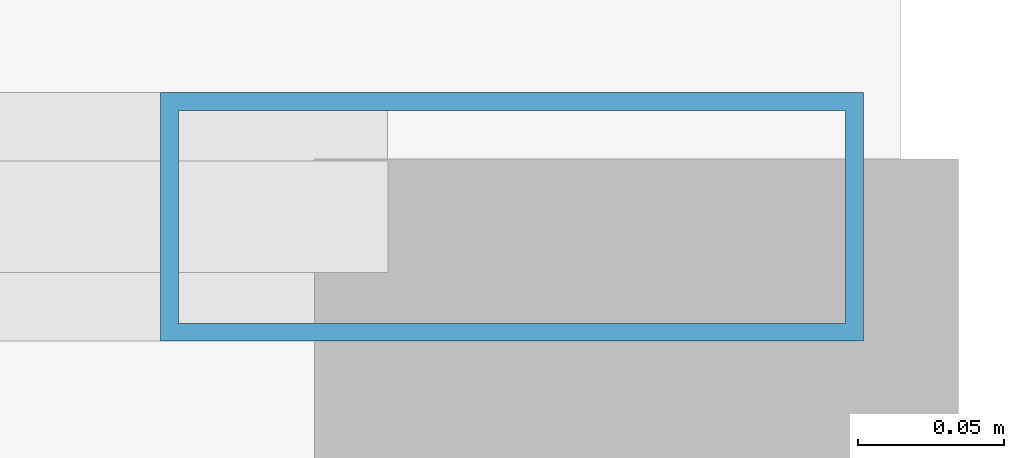
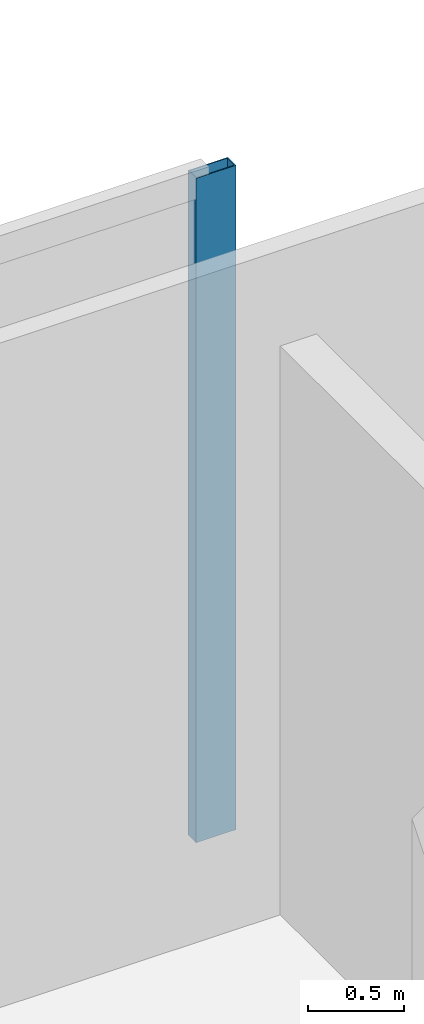
# One storey, part 25 of 32: 1 member, 1 element without a shape of its own.
"""IFC4 building model written with IfcOpenShell, lengths in metres."""

from ifc_helpers import new_model, si_unit, direction, frame, origin, origin_2d, place, context, subcontext, project, spatial, hollow_rectangle, extrude, material, material_profile, profile_set, type_object, element, aggregate, save


model = new_model("IFC4")

# Units and contexts
model_context = context("Model", 3, precision=1e-05, world=origin(), true_north=direction((0.0, 1.0)))
body_context = subcontext(model_context, "Body", "Model", "MODEL_VIEW")
ifc_project = project(units=[si_unit("LENGTHUNIT", "METRE"), si_unit("AREAUNIT", "SQUARE_METRE"), si_unit("VOLUMEUNIT", "CUBIC_METRE"), si_unit("PLANEANGLEUNIT", "RADIAN"), si_unit("MASSUNIT", "GRAM", prefix="KILO")], contexts=[model_context])

# Site, building, storey
site_placement = place(None, origin())
site = spatial("IfcSite", under=ifc_project, at=site_placement, CompositionType="ELEMENT")
building_placement = place(site_placement, origin())
building = spatial("IfcBuilding", under=site, at=building_placement, Name="Khoronbel Lancet Exchange", CompositionType="ELEMENT")
storey_placement = place(building_placement, frame((0.0, 0.0, 106.60009765625)))
storey = spatial("IfcBuildingStorey", under=building, at=storey_placement, Name="L25", CompositionType="ELEMENT", Elevation=106.60009765625)

# Curtain wall, member
ifc_material_1 = material(Name="Low-E Solar Control Insulating Glass", Category="glass")
curtain_wall_type = type_object("IfcCurtainWallType", Name="CW-2", PredefinedType="NOTDEFINED", material=ifc_material_1)
curtain_wall_placement = place(storey_placement, origin())
curtain_wall = element("IfcCurtainWall", 1, at=curtain_wall_placement, inside=storey, type_object=curtain_wall_type, Name="Unitised curtain wall CW-L25-NEFLK", PredefinedType="NOTDEFINED")
ifc_material_2 = material(Name="Bronze-Anodised Aluminium 6063-T6", Category="aluminium")
ifc_material_profile = material_profile(ifc_material_2, hollow_rectangle(XDim=0.0849609375, YDim=0.239990234375, WallThickness=0.006103515625, at=origin_2d()), Name="ALU MULLION 85x240")
ifc_profile_set = profile_set([ifc_material_profile], Name="Bronze-Anodised Aluminium 6063-T6")
member_type = type_object("IfcMemberType", Name="MEM-CWM1", PredefinedType="MULLION", material=ifc_profile_set)
member_placement = place(storey_placement, frame((65.91748046875, 53.610107421875, 0.0), z_axis=(0.0, 0.0, 1.0), x_axis=(0.0, -1.0, 0.0)))
member = element("IfcMember", 2, at=member_placement, type_object=member_type, Name="CW2 mullion 1", PredefinedType="MULLION", context=body_context, shape_type="SweptSolid", body=[
    extrude(hollow_rectangle(XDim=0.0849609375, YDim=0.239990234375, WallThickness=0.006103515625, at=origin_2d()), origin(), (0.0, 0.0, 1.0), 4.239990234375),
])
aggregate(curtain_wall, [member])

save(model, "model.ifc")
